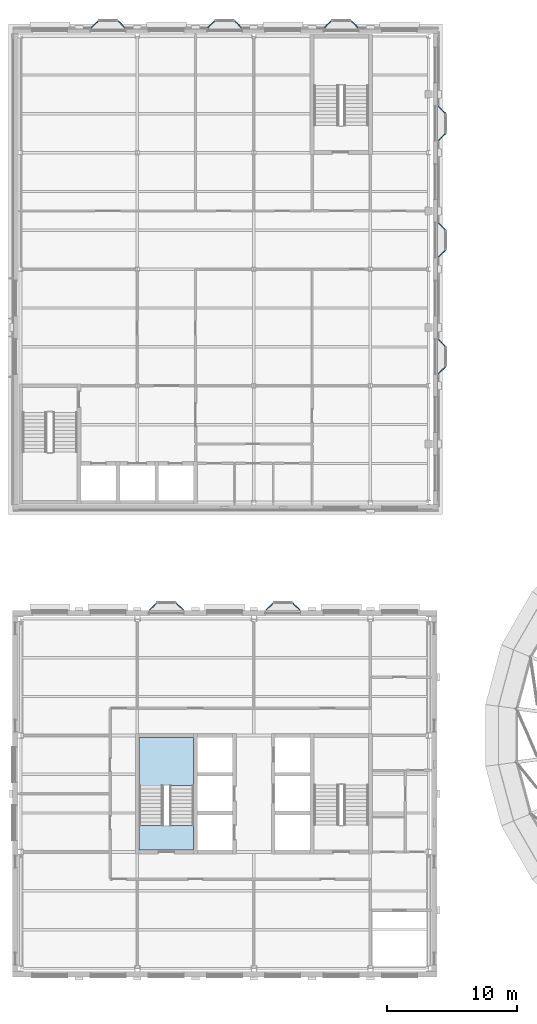
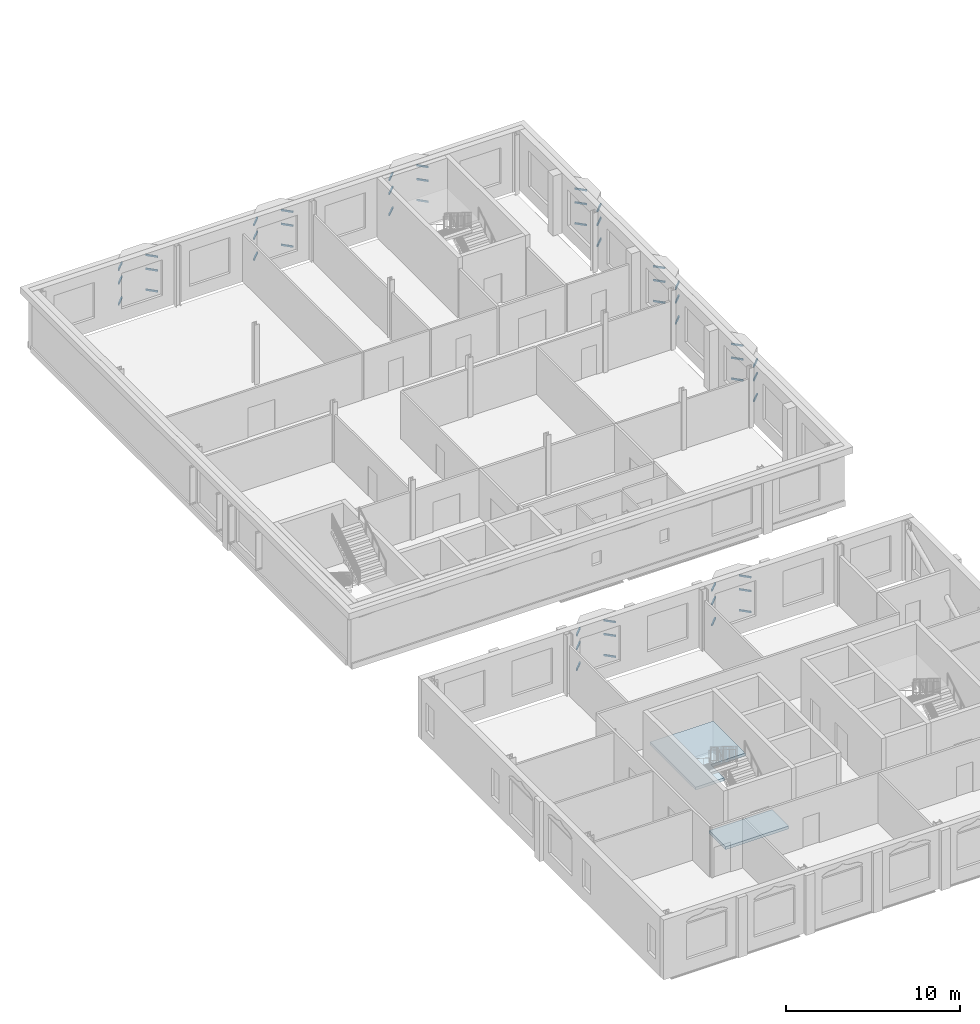
# One storey, part 26 of 62: 48 members, 2 slabs, 17 elements without a shape of their own.
"""IFC4 building model written with IfcOpenShell, lengths in metres."""

import ifcopenshell
import ifcopenshell.guid

model = None  # the IFC model being written
_history = None  # IfcOwnerHistory: only IFC2X3 demands one
_inside = {}  # id of a spatial element -> (the spatial element, [elements in it])
_under = {}  # id of a project, library or spatial element -> (it, [spatial elements below it])
_declared = {}  # id of a project -> (the project, [libraries it declares])
_typed = {}  # id of a type object -> (the type object, [elements of that type])
_made_of = {}  # id of a material, layer set ... -> (it, [elements and type objects made of it])


def new_model(schema):
    """Start an empty IFC model of exactly this schema.

    Asked for "IFC4X3", IfcOpenShell would pick the latest addendum, in which some entities
    have other attributes; the version numbers below select the first issue.
    IFC2X3 requires an IfcOwnerHistory on every rooted entity: one is made here for all.
    """
    global model, _history
    if schema == "IFC4X3":
        model = ifcopenshell.file(schema_version=(4, 3, 0, 0))
    else:
        model = ifcopenshell.file(schema=schema)
    _inside.clear()
    _under.clear()
    _declared.clear()
    _typed.clear()
    _made_of.clear()
    _history = None
    if model.schema == "IFC2X3":
        org = make("IfcOrganization", Name="unknown")
        user = make(
            "IfcPersonAndOrganization",
            ThePerson=make("IfcPerson", FamilyName="unknown"),
            TheOrganization=org,
        )
        app = make(
            "IfcApplication",
            ApplicationDeveloper=org,
            Version="unknown",
            ApplicationFullName="unknown",
            ApplicationIdentifier="unknown",
        )
        _history = make(
            "IfcOwnerHistory",
            OwningUser=user,
            OwningApplication=app,
            ChangeAction="ADDED",
            CreationDate=0,
        )
    return model


def make(cls, **values):
    """One entity of the class cls with the attributes given. An attribute that is None is left unset."""
    return model.create_entity(
        cls, **{name: value for name, value in values.items() if value is not None}
    )


def rooted(cls, **values):
    """An entity with a GlobalId (a new one), such as an element, a storey or a relation."""
    return make(cls, GlobalId=ifcopenshell.guid.new(), OwnerHistory=_history, **values)


def si_unit(unit_type, name, prefix=None):
    """IfcSIUnit, for example si_unit("LENGTHUNIT", "METRE", prefix="MILLI")."""
    return make("IfcSIUnit", UnitType=unit_type, Prefix=prefix, Name=name)


def assignment(units):
    """IfcUnitAssignment: the units of a project."""
    return None if units is None else make("IfcUnitAssignment", Units=units)


def point(xyz):
    """IfcCartesianPoint."""
    return None if xyz is None else make("IfcCartesianPoint", Coordinates=xyz)


def direction(xyz):
    """IfcDirection."""
    return None if xyz is None else make("IfcDirection", DirectionRatios=xyz)


def frame(location, z_axis=None, x_axis=None):
    """IfcAxis2Placement3D, a coordinate frame: its origin and axes. An axis left out is left unset."""
    return make(
        "IfcAxis2Placement3D",
        Location=point(location),
        Axis=direction(z_axis),
        RefDirection=direction(x_axis),
    )


def frame_2d(location, x_axis=None):
    """IfcAxis2Placement2D, a coordinate frame in the plane: its origin and x axis."""
    return make(
        "IfcAxis2Placement2D", Location=point(location), RefDirection=direction(x_axis)
    )


def origin():
    """The frame at (0, 0, 0) with its axes left unset."""
    return frame((0.0, 0.0, 0.0))


def origin_2d():
    """The frame at (0, 0) in the plane with its x axis left unset."""
    return frame_2d((0.0, 0.0))


def place(relative_to, where):
    """IfcLocalPlacement: puts the frame where relative to a parent placement (None: the world)."""
    return make(
        "IfcLocalPlacement", PlacementRelTo=relative_to, RelativePlacement=where
    )


def context(
    kind, dimensions, precision=None, world=None, true_north=None, identifier=None
):
    """IfcGeometricRepresentationContext, for example the 3D "Model" context."""
    return make(
        "IfcGeometricRepresentationContext",
        ContextIdentifier=identifier,
        ContextType=kind,
        CoordinateSpaceDimension=dimensions,
        Precision=precision,
        WorldCoordinateSystem=world,
        TrueNorth=true_north,
    )


def subcontext(parent, identifier, kind, view, scale=None):
    """IfcGeometricRepresentationSubContext, for example "Body" below "Model"."""
    return make(
        "IfcGeometricRepresentationSubContext",
        ContextIdentifier=identifier,
        ContextType=kind,
        ParentContext=parent,
        TargetScale=scale,
        TargetView=view,
    )


def project(units=None, contexts=None):
    """IfcProject with its units and contexts."""
    return rooted(
        "IfcProject",
        Name="project",
        RepresentationContexts=contexts,
        UnitsInContext=assignment(units),
    )


def spatial(cls, under=None, at=None, **own):
    """A site, building, storey or space (cls), placed at a placement, below another one or the project."""
    s = rooted(cls, ObjectPlacement=at, **own)
    if under is not None:
        _under.setdefault(under.id(), (under, []))[1].append(s)
    return s


def polyline(points):
    """IfcPolyline through the points."""
    return make("IfcPolyline", Points=[point(p) for p in points])


def profile(cls, at=None, kind="AREA", **sizes):
    """A parametric profile (cls). Its sizes go by their IFC names, for example OverallWidth=200.0."""
    return make(cls, ProfileType=kind, Position=at, **sizes)


def rectangle(**sizes):
    """IfcRectangleProfileDef."""
    return profile("IfcRectangleProfileDef", **sizes)


def outline(outer, holes=None, kind="AREA"):
    """IfcArbitraryClosedProfileDef: a profile drawn as a closed curve; with holes, ...WithVoids."""
    if holes is None:
        return make("IfcArbitraryClosedProfileDef", ProfileType=kind, OuterCurve=outer)
    return make(
        "IfcArbitraryProfileDefWithVoids",
        ProfileType=kind,
        OuterCurve=outer,
        InnerCurves=holes,
    )


def extrude(swept, where, along, depth):
    """IfcExtrudedAreaSolid: the profile swept, set in the frame where, extruded along a direction by depth."""
    return make(
        "IfcExtrudedAreaSolid",
        SweptArea=swept,
        Position=where,
        ExtrudedDirection=direction(along),
        Depth=depth,
    )


def shape(context_of_items, identifier, shape_type, items):
    """IfcShapeRepresentation: the items that make up one representation, for example the "Body"."""
    return make(
        "IfcShapeRepresentation",
        ContextOfItems=context_of_items,
        RepresentationIdentifier=identifier,
        RepresentationType=shape_type,
        Items=items,
    )


def material(Name=None, Category=None):
    """IfcMaterial."""
    return make("IfcMaterial", Name=Name, Category=Category)


def layer(
    of_material, thickness, ventilated=None, Name=None, Category=None, Priority=None
):
    """IfcMaterialLayer: one layer of a wall or slab, of a material (None: an air gap)."""
    return make(
        "IfcMaterialLayer",
        Material=of_material,
        LayerThickness=thickness,
        IsVentilated=ventilated,
        Name=Name,
        Category=Category,
        Priority=Priority,
    )


def layer_set(layers, Name=None):
    """IfcMaterialLayerSet."""
    return make("IfcMaterialLayerSet", MaterialLayers=layers, LayerSetName=Name)


def material_profile(
    of_material, cross_section, Name=None, Category=None, Priority=None
):
    """IfcMaterialProfile: a cross section and its material."""
    return make(
        "IfcMaterialProfile",
        Name=Name,
        Material=of_material,
        Profile=cross_section,
        Priority=Priority,
        Category=Category,
    )


def profile_set(profiles, Name=None, composite=None):
    """IfcMaterialProfileSet."""
    return make(
        "IfcMaterialProfileSet",
        Name=Name,
        MaterialProfiles=profiles,
        CompositeProfile=composite,
    )


def made_of(thing, what):
    """Note that an element or type object is made of a material, layer set ...; save() writes the relation."""
    if what is not None:
        _made_of.setdefault(what.id(), (what, []))[1].append(thing)
    return thing


def type_object(cls, material=None, **own):
    """A type object (cls), such as IfcWallType, which elements share."""
    return made_of(rooted(cls, **own), material)


def element(
    cls,
    number,
    at=None,
    inside=None,
    cuts=None,
    type_object=None,
    material=None,
    context=None,
    identifier="Body",
    shape_type=None,
    held_by="IfcProductDefinitionShape",
    body=None,
    shapes=None,
    **own,
):
    """One element of the class cls, such as IfcWall. Its Tag is "e" and its number.

    at: its placement. inside: the storey or other place that contains it. cuts: it is an
    opening in that element (IfcRelVoidsElement). A single representation is given by context,
    identifier, shape_type and body (its items); several are given by shapes. held_by: the class
    of the entity that holds the representations. save() writes the other relations.
    """
    e = rooted(cls, Tag="e%d" % number, ObjectPlacement=at, **own)
    if body is not None:
        shapes = [shape(context, identifier, shape_type, body)]
    if shapes is not None:
        e.Representation = make(held_by, Representations=shapes)
    if inside is not None:
        _inside.setdefault(inside.id(), (inside, []))[1].append(e)
    if cuts is not None:
        rooted(
            "IfcRelVoidsElement", RelatingBuildingElement=cuts, RelatedOpeningElement=e
        )
    if type_object is not None:
        _typed.setdefault(type_object.id(), (type_object, []))[1].append(e)
    return made_of(e, material)


def aggregate(whole, parts):
    """IfcRelAggregates: a whole, such as a stair, and the parts it consists of."""
    return rooted("IfcRelAggregates", RelatingObject=whole, RelatedObjects=parts)


def save(model, path):
    """Write the relations noted so far, then the file.

    IfcRelAggregates (storeys below a building ...), IfcRelContainedInSpatialStructure (elements
    in a storey), IfcRelDefinesByType, IfcRelAssociatesMaterial and IfcRelDeclares: one each for
    every whole, place, type object, material and project.
    """
    for whole, parts in _under.values():
        aggregate(whole, parts)
    for where, things in _inside.values():
        rooted(
            "IfcRelContainedInSpatialStructure",
            RelatedElements=things,
            RelatingStructure=where,
        )
    for kind, things in _typed.values():
        rooted("IfcRelDefinesByType", RelatedObjects=things, RelatingType=kind)
    for what, things in _made_of.values():
        rooted("IfcRelAssociatesMaterial", RelatedObjects=things, RelatingMaterial=what)
    for by, libraries in _declared.values():
        rooted("IfcRelDeclares", RelatingContext=by, RelatedDefinitions=libraries)
    model.write(path)


model = new_model("IFC4")

# Units and contexts
model_context = context("Model", 3, precision=1e-05, world=origin(), true_north=direction((0.0, 1.0)))
body_context = subcontext(model_context, "Body", "Model", "MODEL_VIEW")
ifc_project = project(units=[si_unit("LENGTHUNIT", "METRE"), si_unit("AREAUNIT", "SQUARE_METRE"), si_unit("VOLUMEUNIT", "CUBIC_METRE"), si_unit("PLANEANGLEUNIT", "RADIAN"), si_unit("MASSUNIT", "GRAM", prefix="KILO")], contexts=[model_context])

# Site, building, storey
site_placement = place(None, origin())
site = spatial("IfcSite", under=ifc_project, at=site_placement, CompositionType="ELEMENT")
building_placement = place(site_placement, origin())
building = spatial("IfcBuilding", under=site, at=building_placement, Name="Hortulan Conservatory and Botanical Research Centre", CompositionType="ELEMENT")
storey_placement = place(building_placement, frame((0.0, 0.0, 15.0)))
storey = spatial("IfcBuildingStorey", under=building, at=storey_placement, Name="L03", CompositionType="ELEMENT", Elevation=15.0)

# Curtain wall, members
ifc_material_1 = material(Name="Bronze-finished aluminium", Category="aluminium")
ifc_layer_1 = layer(ifc_material_1, 0.10009765625)
ifc_layer_set_1 = layer_set([ifc_layer_1], Name="Oriel Curtain Wall 1350 module")
curtain_wall_type = type_object("IfcCurtainWallType", Name="Oriel Curtain Wall 1350 module", PredefinedType="NOTDEFINED", material=ifc_layer_set_1)
curtain_wall_1_placement = place(storey_placement, origin())
curtain_wall_1 = element("IfcCurtainWall", 1, at=curtain_wall_1_placement, inside=storey, type_object=curtain_wall_type, Name="Oriel glazing", PredefinedType="NOTDEFINED")
ifc_material_profile = material_profile(ifc_material_1, rectangle(XDim=0.06005859375, YDim=0.1201171875, at=origin_2d()), Name="Bronze Transom 60x120")
ifc_profile_set = profile_set([ifc_material_profile], Name="Bronze-finished aluminium")
member_type = type_object("IfcMemberType", Name="Bronze Transom 60x120", PredefinedType="USERDEFINED", material=ifc_profile_set)
member_1_placement = place(storey_placement, frame((9.9423828125, 27.678466796875, 0.929931640625), z_axis=(0.707106781187, 0.707106781187, 0.0), x_axis=(-0.707106781187, 0.707106781187, 0.0)))
member_1 = element("IfcMember", 2, at=member_1_placement, type_object=member_type, Name="CW2 transom 1.1", ObjectType="TRANSOM", PredefinedType="USERDEFINED", context=body_context, shape_type="SweptSolid", body=[
    extrude(rectangle(XDim=0.06005859375, YDim=0.1201171875, at=origin_2d()), origin(), (0.0, 0.0, 1.0), 0.728515625),
])
member_2_placement = place(storey_placement, frame((9.9423828125, 27.678466796875, 2.39990234375), z_axis=(0.707106781187, 0.707106781187, 0.0), x_axis=(-0.707106781187, 0.707106781187, 0.0)))
member_2 = element("IfcMember", 3, at=member_2_placement, type_object=member_type, Name="CW2 transom 1.2", ObjectType="TRANSOM", PredefinedType="USERDEFINED", context=body_context, shape_type="SweptSolid", body=[
    extrude(rectangle(XDim=0.06005859375, YDim=0.1201171875, at=origin_2d()), origin(), (0.0, 0.0, 1.0), 0.728515625),
])
member_3_placement = place(storey_placement, frame((9.9423828125, 27.678466796875, 3.3701171875), z_axis=(0.707106781187, 0.707106781187, 0.0), x_axis=(-0.707106781187, 0.707106781187, 0.0)))
member_3 = element("IfcMember", 4, at=member_3_placement, type_object=member_type, Name="CW2 transom 1.3", ObjectType="TRANSOM", PredefinedType="USERDEFINED", context=body_context, shape_type="SweptSolid", body=[
    extrude(rectangle(XDim=0.06005859375, YDim=0.1201171875, at=origin_2d()), origin(), (0.0, 0.0, 1.0), 0.728515625),
])
aggregate(curtain_wall_1, [member_1, member_2, member_3])

curtain_wall_2_placement = place(storey_placement, origin())
curtain_wall_2 = element("IfcCurtainWall", 5, at=curtain_wall_2_placement, inside=storey, type_object=curtain_wall_type, Name="Oriel glazing", PredefinedType="NOTDEFINED")
member_4_placement = place(storey_placement, frame((12.04248046875, 28.193603515625, 0.929931640625), z_axis=(0.707106781187, -0.707106781187, 0.0), x_axis=(0.707106781187, 0.707106781187, 0.0)))
member_4 = element("IfcMember", 6, at=member_4_placement, type_object=member_type, Name="CW2 transom 1.1", ObjectType="TRANSOM", PredefinedType="USERDEFINED", context=body_context, shape_type="SweptSolid", body=[
    extrude(rectangle(XDim=0.06005859375, YDim=0.1201171875, at=origin_2d()), origin(), (0.0, 0.0, 1.0), 0.728515625),
])
member_5_placement = place(storey_placement, frame((12.04248046875, 28.193603515625, 2.39990234375), z_axis=(0.707106781187, -0.707106781187, 0.0), x_axis=(0.707106781187, 0.707106781187, 0.0)))
member_5 = element("IfcMember", 7, at=member_5_placement, type_object=member_type, Name="CW2 transom 1.2", ObjectType="TRANSOM", PredefinedType="USERDEFINED", context=body_context, shape_type="SweptSolid", body=[
    extrude(rectangle(XDim=0.06005859375, YDim=0.1201171875, at=origin_2d()), origin(), (0.0, 0.0, 1.0), 0.728515625),
])
member_6_placement = place(storey_placement, frame((12.04248046875, 28.193603515625, 3.3701171875), z_axis=(0.707106781187, -0.707106781187, 0.0), x_axis=(0.707106781187, 0.707106781187, 0.0)))
member_6 = element("IfcMember", 8, at=member_6_placement, type_object=member_type, Name="CW2 transom 1.3", ObjectType="TRANSOM", PredefinedType="USERDEFINED", context=body_context, shape_type="SweptSolid", body=[
    extrude(rectangle(XDim=0.06005859375, YDim=0.1201171875, at=origin_2d()), origin(), (0.0, 0.0, 1.0), 0.728515625),
])
aggregate(curtain_wall_2, [member_4, member_5, member_6])

curtain_wall_3_placement = place(storey_placement, origin())
curtain_wall_3 = element("IfcCurtainWall", 9, at=curtain_wall_3_placement, inside=storey, type_object=curtain_wall_type, Name="Oriel glazing", PredefinedType="NOTDEFINED")
member_7_placement = place(storey_placement, frame((18.9423828125, 27.678466796875, 0.929931640625), z_axis=(0.707106781187, 0.707106781187, 0.0), x_axis=(-0.707106781187, 0.707106781187, 0.0)))
member_7 = element("IfcMember", 10, at=member_7_placement, type_object=member_type, Name="CW2 transom 1.1", ObjectType="TRANSOM", PredefinedType="USERDEFINED", context=body_context, shape_type="SweptSolid", body=[
    extrude(rectangle(XDim=0.06005859375, YDim=0.1201171875, at=origin_2d()), origin(), (0.0, 0.0, 1.0), 0.728515625),
])
member_8_placement = place(storey_placement, frame((18.9423828125, 27.678466796875, 2.39990234375), z_axis=(0.707106781187, 0.707106781187, 0.0), x_axis=(-0.707106781187, 0.707106781187, 0.0)))
member_8 = element("IfcMember", 11, at=member_8_placement, type_object=member_type, Name="CW2 transom 1.2", ObjectType="TRANSOM", PredefinedType="USERDEFINED", context=body_context, shape_type="SweptSolid", body=[
    extrude(rectangle(XDim=0.06005859375, YDim=0.1201171875, at=origin_2d()), origin(), (0.0, 0.0, 1.0), 0.728515625),
])
member_9_placement = place(storey_placement, frame((18.9423828125, 27.678466796875, 3.3701171875), z_axis=(0.707106781187, 0.707106781187, 0.0), x_axis=(-0.707106781187, 0.707106781187, 0.0)))
member_9 = element("IfcMember", 12, at=member_9_placement, type_object=member_type, Name="CW2 transom 1.3", ObjectType="TRANSOM", PredefinedType="USERDEFINED", context=body_context, shape_type="SweptSolid", body=[
    extrude(rectangle(XDim=0.06005859375, YDim=0.1201171875, at=origin_2d()), origin(), (0.0, 0.0, 1.0), 0.728515625),
])
aggregate(curtain_wall_3, [member_7, member_8, member_9])

curtain_wall_4_placement = place(storey_placement, origin())
curtain_wall_4 = element("IfcCurtainWall", 13, at=curtain_wall_4_placement, inside=storey, type_object=curtain_wall_type, Name="Oriel glazing", PredefinedType="NOTDEFINED")
member_10_placement = place(storey_placement, frame((21.04248046875, 28.193603515625, 0.929931640625), z_axis=(0.707106781187, -0.707106781187, 0.0), x_axis=(0.707106781187, 0.707106781187, 0.0)))
member_10 = element("IfcMember", 14, at=member_10_placement, type_object=member_type, Name="CW2 transom 1.1", ObjectType="TRANSOM", PredefinedType="USERDEFINED", context=body_context, shape_type="SweptSolid", body=[
    extrude(rectangle(XDim=0.06005859375, YDim=0.1201171875, at=origin_2d()), origin(), (0.0, 0.0, 1.0), 0.728515625),
])
member_11_placement = place(storey_placement, frame((21.04248046875, 28.193603515625, 2.39990234375), z_axis=(0.707106781187, -0.707106781187, 0.0), x_axis=(0.707106781187, 0.707106781187, 0.0)))
member_11 = element("IfcMember", 15, at=member_11_placement, type_object=member_type, Name="CW2 transom 1.2", ObjectType="TRANSOM", PredefinedType="USERDEFINED", context=body_context, shape_type="SweptSolid", body=[
    extrude(rectangle(XDim=0.06005859375, YDim=0.1201171875, at=origin_2d()), origin(), (0.0, 0.0, 1.0), 0.728515625),
])
member_12_placement = place(storey_placement, frame((21.04248046875, 28.193603515625, 3.3701171875), z_axis=(0.707106781187, -0.707106781187, 0.0), x_axis=(0.707106781187, 0.707106781187, 0.0)))
member_12 = element("IfcMember", 16, at=member_12_placement, type_object=member_type, Name="CW2 transom 1.3", ObjectType="TRANSOM", PredefinedType="USERDEFINED", context=body_context, shape_type="SweptSolid", body=[
    extrude(rectangle(XDim=0.06005859375, YDim=0.1201171875, at=origin_2d()), origin(), (0.0, 0.0, 1.0), 0.728515625),
])
aggregate(curtain_wall_4, [member_10, member_11, member_12])

curtain_wall_5_placement = place(storey_placement, origin())
curtain_wall_5 = element("IfcCurtainWall", 17, at=curtain_wall_5_placement, inside=storey, type_object=curtain_wall_type, Name="Oriel glazing", PredefinedType="NOTDEFINED")
member_13_placement = place(storey_placement, frame((5.4423828125, 72.6279296875, 0.929931640625), z_axis=(0.707106781187, 0.707106781187, 0.0), x_axis=(-0.707106781187, 0.707106781187, 0.0)))
member_13 = element("IfcMember", 18, at=member_13_placement, type_object=member_type, Name="CW2 transom 1.1", ObjectType="TRANSOM", PredefinedType="USERDEFINED", context=body_context, shape_type="SweptSolid", body=[
    extrude(rectangle(XDim=0.06005859375, YDim=0.1201171875, at=origin_2d()), origin(), (0.0, 0.0, 1.0), 0.728515625),
])
member_14_placement = place(storey_placement, frame((5.4423828125, 72.6279296875, 2.39990234375), z_axis=(0.707106781187, 0.707106781187, 0.0), x_axis=(-0.707106781187, 0.707106781187, 0.0)))
member_14 = element("IfcMember", 19, at=member_14_placement, type_object=member_type, Name="CW2 transom 1.2", ObjectType="TRANSOM", PredefinedType="USERDEFINED", context=body_context, shape_type="SweptSolid", body=[
    extrude(rectangle(XDim=0.06005859375, YDim=0.1201171875, at=origin_2d()), origin(), (0.0, 0.0, 1.0), 0.728515625),
])
member_15_placement = place(storey_placement, frame((5.4423828125, 72.6279296875, 3.3701171875), z_axis=(0.707106781187, 0.707106781187, 0.0), x_axis=(-0.707106781187, 0.707106781187, 0.0)))
member_15 = element("IfcMember", 20, at=member_15_placement, type_object=member_type, Name="CW2 transom 1.3", ObjectType="TRANSOM", PredefinedType="USERDEFINED", context=body_context, shape_type="SweptSolid", body=[
    extrude(rectangle(XDim=0.06005859375, YDim=0.1201171875, at=origin_2d()), origin(), (0.0, 0.0, 1.0), 0.728515625),
])
aggregate(curtain_wall_5, [member_13, member_14, member_15])

curtain_wall_6_placement = place(storey_placement, origin())
curtain_wall_6 = element("IfcCurtainWall", 21, at=curtain_wall_6_placement, inside=storey, type_object=curtain_wall_type, Name="Oriel glazing", PredefinedType="NOTDEFINED")
member_16_placement = place(storey_placement, frame((7.54248046875, 73.14306640625, 0.929931640625), z_axis=(0.707106781187, -0.707106781187, 0.0), x_axis=(0.707106781187, 0.707106781187, 0.0)))
member_16 = element("IfcMember", 22, at=member_16_placement, type_object=member_type, Name="CW2 transom 1.1", ObjectType="TRANSOM", PredefinedType="USERDEFINED", context=body_context, shape_type="SweptSolid", body=[
    extrude(rectangle(XDim=0.06005859375, YDim=0.1201171875, at=origin_2d()), origin(), (0.0, 0.0, 1.0), 0.728515625),
])
member_17_placement = place(storey_placement, frame((7.54248046875, 73.14306640625, 2.39990234375), z_axis=(0.707106781187, -0.707106781187, 0.0), x_axis=(0.707106781187, 0.707106781187, 0.0)))
member_17 = element("IfcMember", 23, at=member_17_placement, type_object=member_type, Name="CW2 transom 1.2", ObjectType="TRANSOM", PredefinedType="USERDEFINED", context=body_context, shape_type="SweptSolid", body=[
    extrude(rectangle(XDim=0.06005859375, YDim=0.1201171875, at=origin_2d()), origin(), (0.0, 0.0, 1.0), 0.728515625),
])
member_18_placement = place(storey_placement, frame((7.54248046875, 73.14306640625, 3.3701171875), z_axis=(0.707106781187, -0.707106781187, 0.0), x_axis=(0.707106781187, 0.707106781187, 0.0)))
member_18 = element("IfcMember", 24, at=member_18_placement, type_object=member_type, Name="CW2 transom 1.3", ObjectType="TRANSOM", PredefinedType="USERDEFINED", context=body_context, shape_type="SweptSolid", body=[
    extrude(rectangle(XDim=0.06005859375, YDim=0.1201171875, at=origin_2d()), origin(), (0.0, 0.0, 1.0), 0.728515625),
])
aggregate(curtain_wall_6, [member_16, member_17, member_18])

curtain_wall_7_placement = place(storey_placement, origin())
curtain_wall_7 = element("IfcCurtainWall", 25, at=curtain_wall_7_placement, inside=storey, type_object=curtain_wall_type, Name="Oriel glazing", PredefinedType="NOTDEFINED")
member_19_placement = place(storey_placement, frame((14.4423828125, 72.6279296875, 0.929931640625), z_axis=(0.707106781187, 0.707106781187, 0.0), x_axis=(-0.707106781187, 0.707106781187, 0.0)))
member_19 = element("IfcMember", 26, at=member_19_placement, type_object=member_type, Name="CW2 transom 1.1", ObjectType="TRANSOM", PredefinedType="USERDEFINED", context=body_context, shape_type="SweptSolid", body=[
    extrude(rectangle(XDim=0.06005859375, YDim=0.1201171875, at=origin_2d()), origin(), (0.0, 0.0, 1.0), 0.728515625),
])
member_20_placement = place(storey_placement, frame((14.4423828125, 72.6279296875, 2.39990234375), z_axis=(0.707106781187, 0.707106781187, 0.0), x_axis=(-0.707106781187, 0.707106781187, 0.0)))
member_20 = element("IfcMember", 27, at=member_20_placement, type_object=member_type, Name="CW2 transom 1.2", ObjectType="TRANSOM", PredefinedType="USERDEFINED", context=body_context, shape_type="SweptSolid", body=[
    extrude(rectangle(XDim=0.06005859375, YDim=0.1201171875, at=origin_2d()), origin(), (0.0, 0.0, 1.0), 0.728515625),
])
member_21_placement = place(storey_placement, frame((14.4423828125, 72.6279296875, 3.3701171875), z_axis=(0.707106781187, 0.707106781187, 0.0), x_axis=(-0.707106781187, 0.707106781187, 0.0)))
member_21 = element("IfcMember", 28, at=member_21_placement, type_object=member_type, Name="CW2 transom 1.3", ObjectType="TRANSOM", PredefinedType="USERDEFINED", context=body_context, shape_type="SweptSolid", body=[
    extrude(rectangle(XDim=0.06005859375, YDim=0.1201171875, at=origin_2d()), origin(), (0.0, 0.0, 1.0), 0.728515625),
])
aggregate(curtain_wall_7, [member_19, member_20, member_21])

curtain_wall_8_placement = place(storey_placement, origin())
curtain_wall_8 = element("IfcCurtainWall", 29, at=curtain_wall_8_placement, inside=storey, type_object=curtain_wall_type, Name="Oriel glazing", PredefinedType="NOTDEFINED")
member_22_placement = place(storey_placement, frame((16.54248046875, 73.14306640625, 0.929931640625), z_axis=(0.707106781187, -0.707106781187, 0.0), x_axis=(0.707106781187, 0.707106781187, 0.0)))
member_22 = element("IfcMember", 30, at=member_22_placement, type_object=member_type, Name="CW2 transom 1.1", ObjectType="TRANSOM", PredefinedType="USERDEFINED", context=body_context, shape_type="SweptSolid", body=[
    extrude(rectangle(XDim=0.06005859375, YDim=0.1201171875, at=origin_2d()), origin(), (0.0, 0.0, 1.0), 0.728515625),
])
member_23_placement = place(storey_placement, frame((16.54248046875, 73.14306640625, 2.39990234375), z_axis=(0.707106781187, -0.707106781187, 0.0), x_axis=(0.707106781187, 0.707106781187, 0.0)))
member_23 = element("IfcMember", 31, at=member_23_placement, type_object=member_type, Name="CW2 transom 1.2", ObjectType="TRANSOM", PredefinedType="USERDEFINED", context=body_context, shape_type="SweptSolid", body=[
    extrude(rectangle(XDim=0.06005859375, YDim=0.1201171875, at=origin_2d()), origin(), (0.0, 0.0, 1.0), 0.728515625),
])
member_24_placement = place(storey_placement, frame((16.54248046875, 73.14306640625, 3.3701171875), z_axis=(0.707106781187, -0.707106781187, 0.0), x_axis=(0.707106781187, 0.707106781187, 0.0)))
member_24 = element("IfcMember", 32, at=member_24_placement, type_object=member_type, Name="CW2 transom 1.3", ObjectType="TRANSOM", PredefinedType="USERDEFINED", context=body_context, shape_type="SweptSolid", body=[
    extrude(rectangle(XDim=0.06005859375, YDim=0.1201171875, at=origin_2d()), origin(), (0.0, 0.0, 1.0), 0.728515625),
])
aggregate(curtain_wall_8, [member_22, member_23, member_24])

curtain_wall_9_placement = place(storey_placement, origin())
curtain_wall_9 = element("IfcCurtainWall", 33, at=curtain_wall_9_placement, inside=storey, type_object=curtain_wall_type, Name="Oriel glazing", PredefinedType="NOTDEFINED")
member_25_placement = place(storey_placement, frame((23.4423828125, 72.6279296875, 0.929931640625), z_axis=(0.707106781187, 0.707106781187, 0.0), x_axis=(-0.707106781187, 0.707106781187, 0.0)))
member_25 = element("IfcMember", 34, at=member_25_placement, type_object=member_type, Name="CW2 transom 1.1", ObjectType="TRANSOM", PredefinedType="USERDEFINED", context=body_context, shape_type="SweptSolid", body=[
    extrude(rectangle(XDim=0.06005859375, YDim=0.1201171875, at=origin_2d()), origin(), (0.0, 0.0, 1.0), 0.728515625),
])
member_26_placement = place(storey_placement, frame((23.4423828125, 72.6279296875, 2.39990234375), z_axis=(0.707106781187, 0.707106781187, 0.0), x_axis=(-0.707106781187, 0.707106781187, 0.0)))
member_26 = element("IfcMember", 35, at=member_26_placement, type_object=member_type, Name="CW2 transom 1.2", ObjectType="TRANSOM", PredefinedType="USERDEFINED", context=body_context, shape_type="SweptSolid", body=[
    extrude(rectangle(XDim=0.06005859375, YDim=0.1201171875, at=origin_2d()), origin(), (0.0, 0.0, 1.0), 0.728515625),
])
member_27_placement = place(storey_placement, frame((23.4423828125, 72.6279296875, 3.3701171875), z_axis=(0.707106781187, 0.707106781187, 0.0), x_axis=(-0.707106781187, 0.707106781187, 0.0)))
member_27 = element("IfcMember", 36, at=member_27_placement, type_object=member_type, Name="CW2 transom 1.3", ObjectType="TRANSOM", PredefinedType="USERDEFINED", context=body_context, shape_type="SweptSolid", body=[
    extrude(rectangle(XDim=0.06005859375, YDim=0.1201171875, at=origin_2d()), origin(), (0.0, 0.0, 1.0), 0.728515625),
])
aggregate(curtain_wall_9, [member_25, member_26, member_27])

curtain_wall_10_placement = place(storey_placement, origin())
curtain_wall_10 = element("IfcCurtainWall", 37, at=curtain_wall_10_placement, inside=storey, type_object=curtain_wall_type, Name="Oriel glazing", PredefinedType="NOTDEFINED")
member_28_placement = place(storey_placement, frame((25.54248046875, 73.14306640625, 0.929931640625), z_axis=(0.707106781187, -0.707106781187, 0.0), x_axis=(0.707106781187, 0.707106781187, 0.0)))
member_28 = element("IfcMember", 38, at=member_28_placement, type_object=member_type, Name="CW2 transom 1.1", ObjectType="TRANSOM", PredefinedType="USERDEFINED", context=body_context, shape_type="SweptSolid", body=[
    extrude(rectangle(XDim=0.06005859375, YDim=0.1201171875, at=origin_2d()), origin(), (0.0, 0.0, 1.0), 0.728515625),
])
member_29_placement = place(storey_placement, frame((25.54248046875, 73.14306640625, 2.39990234375), z_axis=(0.707106781187, -0.707106781187, 0.0), x_axis=(0.707106781187, 0.707106781187, 0.0)))
member_29 = element("IfcMember", 39, at=member_29_placement, type_object=member_type, Name="CW2 transom 1.2", ObjectType="TRANSOM", PredefinedType="USERDEFINED", context=body_context, shape_type="SweptSolid", body=[
    extrude(rectangle(XDim=0.06005859375, YDim=0.1201171875, at=origin_2d()), origin(), (0.0, 0.0, 1.0), 0.728515625),
])
member_30_placement = place(storey_placement, frame((25.54248046875, 73.14306640625, 3.3701171875), z_axis=(0.707106781187, -0.707106781187, 0.0), x_axis=(0.707106781187, 0.707106781187, 0.0)))
member_30 = element("IfcMember", 40, at=member_30_placement, type_object=member_type, Name="CW2 transom 1.3", ObjectType="TRANSOM", PredefinedType="USERDEFINED", context=body_context, shape_type="SweptSolid", body=[
    extrude(rectangle(XDim=0.06005859375, YDim=0.1201171875, at=origin_2d()), origin(), (0.0, 0.0, 1.0), 0.728515625),
])
aggregate(curtain_wall_10, [member_28, member_29, member_30])

curtain_wall_11_placement = place(storey_placement, origin())
curtain_wall_11 = element("IfcCurtainWall", 41, at=curtain_wall_11_placement, inside=storey, type_object=curtain_wall_type, Name="Oriel glazing", PredefinedType="NOTDEFINED")
member_31_placement = place(storey_placement, frame((32.267333984375, 48.5576171875, 0.929931640625), z_axis=(0.707106781187, -0.707106781187, 0.0), x_axis=(0.707106781187, 0.707106781187, 0.0)))
member_31 = element("IfcMember", 42, at=member_31_placement, type_object=member_type, Name="CW2 transom 1.1", ObjectType="TRANSOM", PredefinedType="USERDEFINED", context=body_context, shape_type="SweptSolid", body=[
    extrude(rectangle(XDim=0.06005859375, YDim=0.1201171875, at=origin_2d()), origin(), (0.0, 0.0, 1.0), 0.728515625),
])
member_32_placement = place(storey_placement, frame((32.267333984375, 48.5576171875, 2.39990234375), z_axis=(0.707106781187, -0.707106781187, 0.0), x_axis=(0.707106781187, 0.707106781187, 0.0)))
member_32 = element("IfcMember", 43, at=member_32_placement, type_object=member_type, Name="CW2 transom 1.2", ObjectType="TRANSOM", PredefinedType="USERDEFINED", context=body_context, shape_type="SweptSolid", body=[
    extrude(rectangle(XDim=0.06005859375, YDim=0.1201171875, at=origin_2d()), origin(), (0.0, 0.0, 1.0), 0.728515625),
])
member_33_placement = place(storey_placement, frame((32.267333984375, 48.5576171875, 3.3701171875), z_axis=(0.707106781187, -0.707106781187, 0.0), x_axis=(0.707106781187, 0.707106781187, 0.0)))
member_33 = element("IfcMember", 44, at=member_33_placement, type_object=member_type, Name="CW2 transom 1.3", ObjectType="TRANSOM", PredefinedType="USERDEFINED", context=body_context, shape_type="SweptSolid", body=[
    extrude(rectangle(XDim=0.06005859375, YDim=0.1201171875, at=origin_2d()), origin(), (0.0, 0.0, 1.0), 0.728515625),
])
aggregate(curtain_wall_11, [member_31, member_32, member_33])

curtain_wall_12_placement = place(storey_placement, origin())
curtain_wall_12 = element("IfcCurtainWall", 45, at=curtain_wall_12_placement, inside=storey, type_object=curtain_wall_type, Name="Oriel glazing", PredefinedType="NOTDEFINED")
member_34_placement = place(storey_placement, frame((32.782470703125, 46.45751953125, 0.929931640625), z_axis=(-0.707106781187, -0.707106781187, 0.0), x_axis=(0.707106781187, -0.707106781187, 0.0)))
member_34 = element("IfcMember", 46, at=member_34_placement, type_object=member_type, Name="CW2 transom 1.1", ObjectType="TRANSOM", PredefinedType="USERDEFINED", context=body_context, shape_type="SweptSolid", body=[
    extrude(rectangle(XDim=0.06005859375, YDim=0.1201171875, at=origin_2d()), origin(), (0.0, 0.0, 1.0), 0.728515625),
])
member_35_placement = place(storey_placement, frame((32.782470703125, 46.45751953125, 2.39990234375), z_axis=(-0.707106781187, -0.707106781187, 0.0), x_axis=(0.707106781187, -0.707106781187, 0.0)))
member_35 = element("IfcMember", 47, at=member_35_placement, type_object=member_type, Name="CW2 transom 1.2", ObjectType="TRANSOM", PredefinedType="USERDEFINED", context=body_context, shape_type="SweptSolid", body=[
    extrude(rectangle(XDim=0.06005859375, YDim=0.1201171875, at=origin_2d()), origin(), (0.0, 0.0, 1.0), 0.728515625),
])
member_36_placement = place(storey_placement, frame((32.782470703125, 46.45751953125, 3.3701171875), z_axis=(-0.707106781187, -0.707106781187, 0.0), x_axis=(0.707106781187, -0.707106781187, 0.0)))
member_36 = element("IfcMember", 48, at=member_36_placement, type_object=member_type, Name="CW2 transom 1.3", ObjectType="TRANSOM", PredefinedType="USERDEFINED", context=body_context, shape_type="SweptSolid", body=[
    extrude(rectangle(XDim=0.06005859375, YDim=0.1201171875, at=origin_2d()), origin(), (0.0, 0.0, 1.0), 0.728515625),
])
aggregate(curtain_wall_12, [member_34, member_35, member_36])

curtain_wall_13_placement = place(storey_placement, origin())
curtain_wall_13 = element("IfcCurtainWall", 49, at=curtain_wall_13_placement, inside=storey, type_object=curtain_wall_type, Name="Oriel glazing", PredefinedType="NOTDEFINED")
member_37_placement = place(storey_placement, frame((32.267333984375, 57.5576171875, 0.929931640625), z_axis=(0.707106781187, -0.707106781187, 0.0), x_axis=(0.707106781187, 0.707106781187, 0.0)))
member_37 = element("IfcMember", 50, at=member_37_placement, type_object=member_type, Name="CW2 transom 1.1", ObjectType="TRANSOM", PredefinedType="USERDEFINED", context=body_context, shape_type="SweptSolid", body=[
    extrude(rectangle(XDim=0.06005859375, YDim=0.1201171875, at=origin_2d()), origin(), (0.0, 0.0, 1.0), 0.728515625),
])
member_38_placement = place(storey_placement, frame((32.267333984375, 57.5576171875, 2.39990234375), z_axis=(0.707106781187, -0.707106781187, 0.0), x_axis=(0.707106781187, 0.707106781187, 0.0)))
member_38 = element("IfcMember", 51, at=member_38_placement, type_object=member_type, Name="CW2 transom 1.2", ObjectType="TRANSOM", PredefinedType="USERDEFINED", context=body_context, shape_type="SweptSolid", body=[
    extrude(rectangle(XDim=0.06005859375, YDim=0.1201171875, at=origin_2d()), origin(), (0.0, 0.0, 1.0), 0.728515625),
])
member_39_placement = place(storey_placement, frame((32.267333984375, 57.5576171875, 3.3701171875), z_axis=(0.707106781187, -0.707106781187, 0.0), x_axis=(0.707106781187, 0.707106781187, 0.0)))
member_39 = element("IfcMember", 52, at=member_39_placement, type_object=member_type, Name="CW2 transom 1.3", ObjectType="TRANSOM", PredefinedType="USERDEFINED", context=body_context, shape_type="SweptSolid", body=[
    extrude(rectangle(XDim=0.06005859375, YDim=0.1201171875, at=origin_2d()), origin(), (0.0, 0.0, 1.0), 0.728515625),
])
aggregate(curtain_wall_13, [member_37, member_38, member_39])

curtain_wall_14_placement = place(storey_placement, origin())
curtain_wall_14 = element("IfcCurtainWall", 53, at=curtain_wall_14_placement, inside=storey, type_object=curtain_wall_type, Name="Oriel glazing", PredefinedType="NOTDEFINED")
member_40_placement = place(storey_placement, frame((32.782470703125, 55.45751953125, 0.929931640625), z_axis=(-0.707106781187, -0.707106781187, 0.0), x_axis=(0.707106781187, -0.707106781187, 0.0)))
member_40 = element("IfcMember", 54, at=member_40_placement, type_object=member_type, Name="CW2 transom 1.1", ObjectType="TRANSOM", PredefinedType="USERDEFINED", context=body_context, shape_type="SweptSolid", body=[
    extrude(rectangle(XDim=0.06005859375, YDim=0.1201171875, at=origin_2d()), origin(), (0.0, 0.0, 1.0), 0.728515625),
])
member_41_placement = place(storey_placement, frame((32.782470703125, 55.45751953125, 2.39990234375), z_axis=(-0.707106781187, -0.707106781187, 0.0), x_axis=(0.707106781187, -0.707106781187, 0.0)))
member_41 = element("IfcMember", 55, at=member_41_placement, type_object=member_type, Name="CW2 transom 1.2", ObjectType="TRANSOM", PredefinedType="USERDEFINED", context=body_context, shape_type="SweptSolid", body=[
    extrude(rectangle(XDim=0.06005859375, YDim=0.1201171875, at=origin_2d()), origin(), (0.0, 0.0, 1.0), 0.728515625),
])
member_42_placement = place(storey_placement, frame((32.782470703125, 55.45751953125, 3.3701171875), z_axis=(-0.707106781187, -0.707106781187, 0.0), x_axis=(0.707106781187, -0.707106781187, 0.0)))
member_42 = element("IfcMember", 56, at=member_42_placement, type_object=member_type, Name="CW2 transom 1.3", ObjectType="TRANSOM", PredefinedType="USERDEFINED", context=body_context, shape_type="SweptSolid", body=[
    extrude(rectangle(XDim=0.06005859375, YDim=0.1201171875, at=origin_2d()), origin(), (0.0, 0.0, 1.0), 0.728515625),
])
aggregate(curtain_wall_14, [member_40, member_41, member_42])

curtain_wall_15_placement = place(storey_placement, origin())
curtain_wall_15 = element("IfcCurtainWall", 57, at=curtain_wall_15_placement, inside=storey, type_object=curtain_wall_type, Name="Oriel glazing", PredefinedType="NOTDEFINED")
member_43_placement = place(storey_placement, frame((32.267333984375, 66.5576171875, 0.929931640625), z_axis=(0.707106781187, -0.707106781187, 0.0), x_axis=(0.707106781187, 0.707106781187, 0.0)))
member_43 = element("IfcMember", 58, at=member_43_placement, type_object=member_type, Name="CW2 transom 1.1", ObjectType="TRANSOM", PredefinedType="USERDEFINED", context=body_context, shape_type="SweptSolid", body=[
    extrude(rectangle(XDim=0.06005859375, YDim=0.1201171875, at=origin_2d()), origin(), (0.0, 0.0, 1.0), 0.728515625),
])
member_44_placement = place(storey_placement, frame((32.267333984375, 66.5576171875, 2.39990234375), z_axis=(0.707106781187, -0.707106781187, 0.0), x_axis=(0.707106781187, 0.707106781187, 0.0)))
member_44 = element("IfcMember", 59, at=member_44_placement, type_object=member_type, Name="CW2 transom 1.2", ObjectType="TRANSOM", PredefinedType="USERDEFINED", context=body_context, shape_type="SweptSolid", body=[
    extrude(rectangle(XDim=0.06005859375, YDim=0.1201171875, at=origin_2d()), origin(), (0.0, 0.0, 1.0), 0.728515625),
])
member_45_placement = place(storey_placement, frame((32.267333984375, 66.5576171875, 3.3701171875), z_axis=(0.707106781187, -0.707106781187, 0.0), x_axis=(0.707106781187, 0.707106781187, 0.0)))
member_45 = element("IfcMember", 60, at=member_45_placement, type_object=member_type, Name="CW2 transom 1.3", ObjectType="TRANSOM", PredefinedType="USERDEFINED", context=body_context, shape_type="SweptSolid", body=[
    extrude(rectangle(XDim=0.06005859375, YDim=0.1201171875, at=origin_2d()), origin(), (0.0, 0.0, 1.0), 0.728515625),
])
aggregate(curtain_wall_15, [member_43, member_44, member_45])

curtain_wall_16_placement = place(storey_placement, origin())
curtain_wall_16 = element("IfcCurtainWall", 61, at=curtain_wall_16_placement, inside=storey, type_object=curtain_wall_type, Name="Oriel glazing", PredefinedType="NOTDEFINED")
member_46_placement = place(storey_placement, frame((32.782470703125, 64.45751953125, 0.929931640625), z_axis=(-0.707106781187, -0.707106781187, 0.0), x_axis=(0.707106781187, -0.707106781187, 0.0)))
member_46 = element("IfcMember", 62, at=member_46_placement, type_object=member_type, Name="CW2 transom 1.1", ObjectType="TRANSOM", PredefinedType="USERDEFINED", context=body_context, shape_type="SweptSolid", body=[
    extrude(rectangle(XDim=0.06005859375, YDim=0.1201171875, at=origin_2d()), origin(), (0.0, 0.0, 1.0), 0.728515625),
])
member_47_placement = place(storey_placement, frame((32.782470703125, 64.45751953125, 2.39990234375), z_axis=(-0.707106781187, -0.707106781187, 0.0), x_axis=(0.707106781187, -0.707106781187, 0.0)))
member_47 = element("IfcMember", 63, at=member_47_placement, type_object=member_type, Name="CW2 transom 1.2", ObjectType="TRANSOM", PredefinedType="USERDEFINED", context=body_context, shape_type="SweptSolid", body=[
    extrude(rectangle(XDim=0.06005859375, YDim=0.1201171875, at=origin_2d()), origin(), (0.0, 0.0, 1.0), 0.728515625),
])
member_48_placement = place(storey_placement, frame((32.782470703125, 64.45751953125, 3.3701171875), z_axis=(-0.707106781187, -0.707106781187, 0.0), x_axis=(0.707106781187, -0.707106781187, 0.0)))
member_48 = element("IfcMember", 64, at=member_48_placement, type_object=member_type, Name="CW2 transom 1.3", ObjectType="TRANSOM", PredefinedType="USERDEFINED", context=body_context, shape_type="SweptSolid", body=[
    extrude(rectangle(XDim=0.06005859375, YDim=0.1201171875, at=origin_2d()), origin(), (0.0, 0.0, 1.0), 0.728515625),
])
aggregate(curtain_wall_16, [member_46, member_47, member_48])

# Stair, slab
ifc_material_2 = material(Name="Concrete N40 (40 MPa, AS 3600)", Category="concrete")
stair_type = type_object("IfcStairType", Name="Concrete Escape Stair 1900", PredefinedType="HALF_TURN_STAIR", material=ifc_material_2)
stair_placement = place(storey_placement, origin())
stair = element("IfcStair", 65, at=stair_placement, inside=storey, type_object=stair_type, Name="Stair T1 L03", PredefinedType="HALF_TURN_STAIR")
ifc_layer_2 = layer(ifc_material_2, 0.199951171875)
ifc_layer_set_2 = layer_set([ifc_layer_2], Name="Stair Landing 200")
slab_type = type_object("IfcSlabType", Name="Stair Landing 200", PredefinedType="LANDING", material=ifc_layer_set_2)
slab_1_placement = place(storey_placement, frame((0.0, 0.0, 1.89990234375)))
slab_1 = element("IfcSlab", 66, at=slab_1_placement, type_object=slab_type, Name="Stair T1 L03 half landing 1", PredefinedType="LANDING", context=body_context, shape_type="SweptSolid", body=[
    extrude(outline(polyline([(13.35009765625, 14.12939453125), (11.050048828125, 14.12939453125), (11.050048828125, 12.590087890625), (9.14990234375, 12.590087890625), (9.14990234375, 14.12939453125), (9.14990234375, 14.1298828125), (9.14990234375, 14.139892578125), (9.14990234375, 17.85009765625), (13.35009765625, 17.85009765625), (13.35009765625, 14.139892578125), (13.35009765625, 14.1298828125), (13.35009765625, 14.12939453125)])), origin(), (0.0, 0.0, 1.0), 0.2001953125),
])
aggregate(stair, [slab_1])

# Slab
slab_2_placement = place(storey_placement, frame((0.0, 0.0, -0.199951171875)))
element("IfcSlab", 67, at=slab_2_placement, inside=storey, type_object=slab_type, Name="Stair T1 floor landing L03", PredefinedType="LANDING", context=body_context, shape_type="SweptSolid", body=[
    extrude(outline(polyline([(13.35009765625, 9.14990234375), (9.14990234375, 9.14990234375), (9.14990234375, 11.050048828125), (13.35009765625, 11.050048828125), (13.35009765625, 9.14990234375)])), origin(), (0.0, 0.0, 1.0), 0.199951171875),
])

save(model, "model.ifc")
